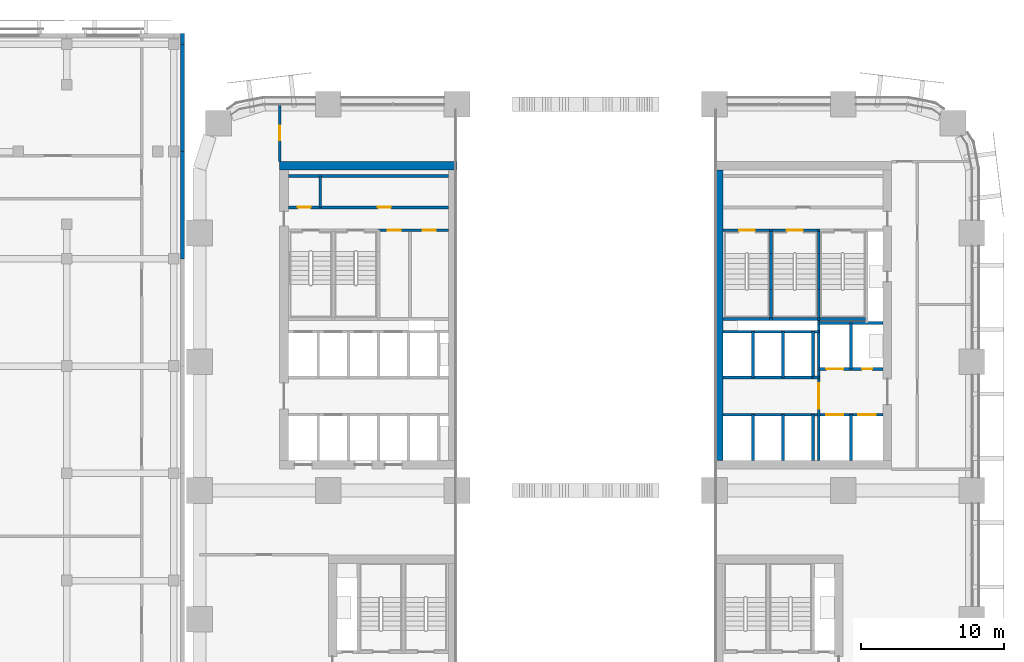
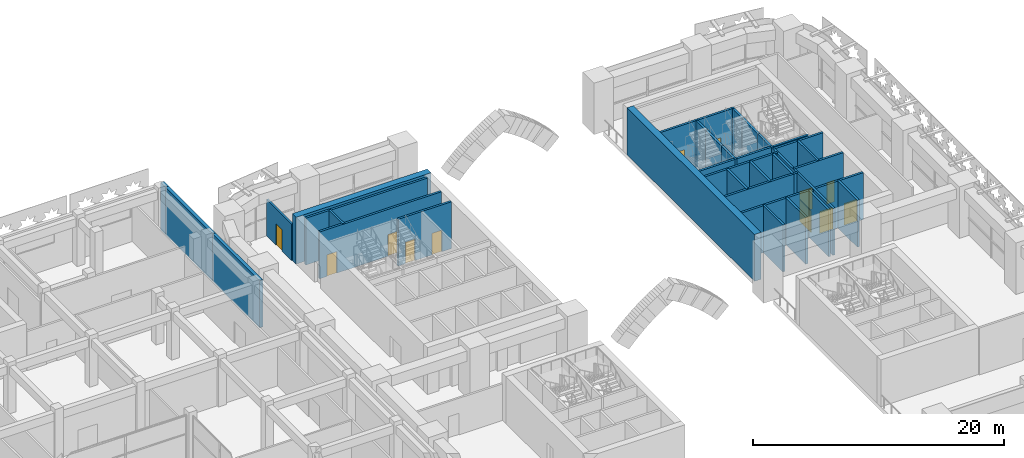
# One storey, part 21 of 40: 40 walls, 12 doors, 12 openings.
"""IFC4 building model written with IfcOpenShell, lengths in metres."""

from ifc_helpers import new_model, si_unit, direction, frame, frame_2d, origin, place, context, subcontext, project, spatial, rectangle, extrude, material, layer, layer_set, type_object, element, fill, save


model = new_model("IFC4")

# Units and contexts
model_context = context("Model", 3, precision=1e-05, world=origin(), true_north=direction((0.0, 1.0)))
body_context = subcontext(model_context, "Body", "Model", "MODEL_VIEW")
ifc_project = project(units=[si_unit("LENGTHUNIT", "METRE"), si_unit("AREAUNIT", "SQUARE_METRE"), si_unit("VOLUMEUNIT", "CUBIC_METRE"), si_unit("PLANEANGLEUNIT", "RADIAN"), si_unit("MASSUNIT", "GRAM", prefix="KILO")], contexts=[model_context])

# Site, building, storey
site_placement = place(None, origin())
site = spatial("IfcSite", under=ifc_project, at=site_placement, CompositionType="ELEMENT")
building_placement = place(site_placement, origin())
building = spatial("IfcBuilding", under=site, at=building_placement, Name="Tessera Arch", CompositionType="ELEMENT")
storey_placement = place(building_placement, frame((0.0, 0.0, 21.0)))
storey = spatial("IfcBuildingStorey", under=building, at=storey_placement, Name="L03", CompositionType="ELEMENT", Elevation=21.0)

# Walls
ifc_material_1 = material(Name="Gypsum board on steel stud", Category="steel")
ifc_layer_1 = layer(ifc_material_1, 0.125)
ifc_layer_set_1 = layer_set([ifc_layer_1], Name="Core partition 125 EI 60")
wall_type_1 = type_object("IfcWallType", Name="Core partition 125 EI 60", PredefinedType="PARTITIONING", material=ifc_layer_set_1)
wall_1_placement = place(storey_placement, frame((42.89990234375, 34.89990234375, 0.0), z_axis=(0.0, 0.0, 1.0), x_axis=(1.0, 0.0, 0.0)))
element("IfcWall", 1, at=wall_1_placement, inside=storey, type_object=wall_type_1, Name="L03 C1 partition wall 21", PredefinedType="PARTITIONING", context=body_context, shape_type="SweptSolid", body=[
    extrude(rectangle(XDim=0.400146484375, YDim=0.199951171875, at=frame_2d((0.2001953125, 0.0))), origin(), (0.0, 0.0, 1.0), 4.550048828125),
])
wall_2_placement = place(storey_placement, frame((8.43994140625, 46.800048828125, 0.0), z_axis=(0.0, 0.0, 1.0), x_axis=(0.0, 1.0, 0.0)))
element("IfcWall", 2, at=wall_2_placement, inside=storey, type_object=wall_type_1, Name="L03 C2 partition wall 3", PredefinedType="PARTITIONING", context=body_context, shape_type="SweptSolid", body=[
    extrude(rectangle(XDim=2.199951171875, YDim=0.199951171875, at=frame_2d((1.10009765625, 0.0))), origin(), (0.0, 0.0, 1.0), 4.550048828125),
])

# Wall, openings, doors
wall_3_placement = place(storey_placement, frame((12.5, 45.199951171875, 0.0), z_axis=(0.0, 0.0, 1.0), x_axis=(1.0, 0.0, 0.0)))
wall_3 = element("IfcWall", 3, at=wall_3_placement, inside=storey, type_object=wall_type_1, Name="L03 C2 partition wall 26", PredefinedType="PARTITIONING", context=body_context, shape_type="SweptSolid", body=[
    extrude(rectangle(XDim=4.89990234375, YDim=0.199951171875, at=frame_2d((2.449951171875, 0.0))), origin(), (0.0, 0.0, 1.0), 4.550048828125),
])
opening_1_placement = place(wall_3_placement, frame((0.652587890625, 0.0, 0.0)))
opening_1 = element("IfcOpeningElement", 4, at=opening_1_placement, cuts=wall_3, Name="Opening L03-C27", PredefinedType="OPENING", context=body_context, shape_type="SweptSolid", body=[
    extrude(rectangle(XDim=0.89990234375, YDim=2.10009765625, at=frame_2d((0.449951171875, 1.050048828125))), frame((0.0, 0.10986328125, 0.0), z_axis=(0.0, -1.0, 0.0), x_axis=(1.0, 0.0, 0.0)), (0.0, 0.0, 1.0), 0.219970703125),
])
opening_2_placement = place(wall_3_placement, frame((3.1025390625, 0.0, 0.0)))
opening_2 = element("IfcOpeningElement", 5, at=opening_2_placement, cuts=wall_3, Name="Opening L03-C28", PredefinedType="OPENING", context=body_context, shape_type="SweptSolid", body=[
    extrude(rectangle(XDim=0.89990234375, YDim=2.10009765625, at=frame_2d((0.449951171875, 1.050048828125))), frame((0.0, 0.10986328125, 0.0), z_axis=(0.0, -1.0, 0.0), x_axis=(1.0, 0.0, 0.0)), (0.0, 0.0, 1.0), 0.219970703125),
])
ifc_material_2 = material(Name="Steel door leaf", Category="steel")
door_type_1 = type_object("IfcDoorType", Name="Store door FD30S 900 x 2100", OperationType="SINGLE_SWING_LEFT", PredefinedType="DOOR", material=ifc_material_2)
door_1_placement = place(opening_1_placement, origin())
door_1 = element("IfcDoor", 6, at=door_1_placement, inside=storey, type_object=door_type_1, Name="L03 C2 door 15 C27 type D09", OperationType="SINGLE_SWING_LEFT", OverallHeight=2.10009765625, OverallWidth=0.89990234375, PredefinedType="DOOR", context=body_context, shape_type="SweptSolid", body=[
    extrude(rectangle(XDim=0.89990234375, YDim=2.10009765625, at=frame_2d((0.449951171875, 1.050048828125))), frame((0.0, 0.02490234375, 0.0), z_axis=(0.0, -1.0, 0.0), x_axis=(1.0, 0.0, 0.0)), (0.0, 0.0, 1.0), 0.050048828125),
])
fill(opening_1, door_1)
door_2_placement = place(opening_2_placement, origin())
door_2 = element("IfcDoor", 7, at=door_2_placement, inside=storey, type_object=door_type_1, Name="L03 C2 door 16 C28 type D09", OperationType="SINGLE_SWING_RIGHT", OverallHeight=2.10009765625, OverallWidth=0.89990234375, PredefinedType="DOOR", context=body_context, shape_type="SweptSolid", body=[
    extrude(rectangle(XDim=0.89990234375, YDim=2.10009765625, at=frame_2d((0.449951171875, 1.050048828125))), frame((0.0, 0.02490234375, 0.0), z_axis=(0.0, -1.0, 0.0), x_axis=(1.0, 0.0, 0.0)), (0.0, 0.0, 1.0), 0.050048828125),
])
fill(opening_2, door_2)

wall_4_placement = place(storey_placement, frame((6.199951171875, 46.800048828125, 0.0), z_axis=(0.0, 0.0, 1.0), x_axis=(1.0, 0.0, 0.0)))
wall_4 = element("IfcWall", 8, at=wall_4_placement, inside=storey, type_object=wall_type_1, Name="L03 C2 partition wall 30", PredefinedType="PARTITIONING", context=body_context, shape_type="SweptSolid", body=[
    extrude(rectangle(XDim=11.199951171875, YDim=0.199951171875, at=frame_2d((5.60009765625, 0.0))), origin(), (0.0, 0.0, 1.0), 4.550048828125),
])
opening_3_placement = place(wall_4_placement, frame((0.669921875, 0.0, 0.0)))
opening_3 = element("IfcOpeningElement", 9, at=opening_3_placement, cuts=wall_4, Name="Opening L03-C25", PredefinedType="OPENING", context=body_context, shape_type="SweptSolid", body=[
    extrude(rectangle(XDim=0.89990234375, YDim=2.10009765625, at=frame_2d((0.449951171875, 1.050048828125))), frame((0.0, 0.10986328125, 0.0), z_axis=(0.0, -1.0, 0.0), x_axis=(1.0, 0.0, 0.0)), (0.0, 0.0, 1.0), 0.219970703125),
])
opening_4_placement = place(wall_4_placement, frame((6.27001953125, 0.0, 0.0)))
opening_4 = element("IfcOpeningElement", 10, at=opening_4_placement, cuts=wall_4, Name="Opening L03-C26", PredefinedType="OPENING", context=body_context, shape_type="SweptSolid", body=[
    extrude(rectangle(XDim=0.89990234375, YDim=2.10009765625, at=frame_2d((0.449951171875, 1.050048828125))), frame((0.0, 0.10986328125, 0.0), z_axis=(0.0, -1.0, 0.0), x_axis=(1.0, 0.0, 0.0)), (0.0, 0.0, 1.0), 0.219970703125),
])
door_3_placement = place(opening_3_placement, origin())
door_3 = element("IfcDoor", 11, at=door_3_placement, inside=storey, type_object=door_type_1, Name="L03 C2 door 13 C25 type D09", OperationType="SINGLE_SWING_LEFT", OverallHeight=2.10009765625, OverallWidth=0.89990234375, PredefinedType="DOOR", context=body_context, shape_type="SweptSolid", body=[
    extrude(rectangle(XDim=0.89990234375, YDim=2.10009765625, at=frame_2d((0.449951171875, 1.050048828125))), frame((0.0, 0.02490234375, 0.0), z_axis=(0.0, -1.0, 0.0), x_axis=(1.0, 0.0, 0.0)), (0.0, 0.0, 1.0), 0.050048828125),
])
fill(opening_3, door_3)
door_4_placement = place(opening_4_placement, origin())
door_4 = element("IfcDoor", 12, at=door_4_placement, inside=storey, type_object=door_type_1, Name="L03 C2 door 14 C26 type D09", OperationType="SINGLE_SWING_RIGHT", OverallHeight=2.10009765625, OverallWidth=0.89990234375, PredefinedType="DOOR", context=body_context, shape_type="SweptSolid", body=[
    extrude(rectangle(XDim=0.89990234375, YDim=2.10009765625, at=frame_2d((0.449951171875, 1.050048828125))), frame((0.0, 0.02490234375, 0.0), z_axis=(0.0, -1.0, 0.0), x_axis=(1.0, 0.0, 0.0)), (0.0, 0.0, 1.0), 0.050048828125),
])
fill(opening_4, door_4)

# Walls
wall_5_placement = place(storey_placement, frame((6.199951171875, 49.0, 0.0), z_axis=(0.0, 0.0, 1.0), x_axis=(1.0, 0.0, 0.0)))
element("IfcWall", 13, at=wall_5_placement, inside=storey, type_object=wall_type_1, Name="L03 C2 partition wall 31", PredefinedType="PARTITIONING", context=body_context, shape_type="SweptSolid", body=[
    extrude(rectangle(XDim=11.199951171875, YDim=0.199951171875, at=frame_2d((5.60009765625, 0.0))), origin(), (0.0, 0.0, 1.0), 4.550048828125),
])
ifc_material_3 = material(Name="Concrete C70/85", Category="concrete")
ifc_layer_2 = layer(ifc_material_3, 0.60009765625)
ifc_layer_set_2 = layer_set([ifc_layer_2], Name="Core shell wall 600 C70-85")
wall_type_2 = type_object("IfcWallType", Name="Core shell wall 600 C70-85", PredefinedType="SHEAR", material=ifc_layer_set_2)
wall_6_placement = place(storey_placement, frame((36.300048828125, 29.10009765625, 0.0), z_axis=(0.0, 0.0, 1.0), x_axis=(0.0, 1.0, 0.0)))
element("IfcWall", 14, at=wall_6_placement, inside=storey, type_object=wall_type_2, Name="L03 C1 core wall W", PredefinedType="SHEAR", context=body_context, shape_type="SweptSolid", body=[
    extrude(rectangle(XDim=20.2998046875, YDim=0.60009765625, at=frame_2d((10.14990234375, 0.0))), origin(), (0.0, 0.0, 1.0), 4.550048828125),
])
wall_7_placement = place(storey_placement, frame((5.60009765625, 49.699951171875, 0.0), z_axis=(0.0, 0.0, 1.0), x_axis=(1.0, 0.0, 0.0)))
element("IfcWall", 15, at=wall_7_placement, inside=storey, type_object=wall_type_2, Name="L03 C2 core wall N", PredefinedType="SHEAR", context=body_context, shape_type="SweptSolid", body=[
    extrude(rectangle(XDim=12.39990234375, YDim=0.60009765625, at=frame_2d((6.199951171875, 0.0))), origin(), (0.0, 0.0, 1.0), 4.550048828125),
])

# Wall, opening, door
ifc_material_4 = material(Name="Gypsum board on deep steel stud with mineral wool", Category="steel")
ifc_layer_3 = layer(ifc_material_4, 0.175048828125)
ifc_layer_set_3 = layer_set([ifc_layer_3], Name="Corridor wall 175 EI 60")
wall_type_3 = type_object("IfcWallType", Name="Corridor wall 175 EI 60", PredefinedType="PARTITIONING", material=ifc_layer_set_3)
wall_8_placement = place(storey_placement, frame((5.60009765625, 50.0, 0.0), z_axis=(0.0, 0.0, 1.0), x_axis=(0.0, 1.0, 0.0)))
wall_8 = element("IfcWall", 16, at=wall_8_placement, inside=storey, type_object=wall_type_3, Name="L03 partition 20", PredefinedType="PARTITIONING", context=body_context, shape_type="SweptSolid", body=[
    extrude(rectangle(XDim=4.0, YDim=0.175048828125, at=frame_2d((2.0, 0.0))), origin(), (0.0, 0.0, 1.0), 3.550048828125),
])
opening_5_placement = place(wall_8_placement, frame((1.5, 0.0, 0.0)))
opening_5 = element("IfcOpeningElement", 17, at=opening_5_placement, cuts=wall_8, Name="Opening L03-D021", PredefinedType="OPENING", context=body_context, shape_type="SweptSolid", body=[
    extrude(rectangle(XDim=1.0, YDim=2.10009765625, at=frame_2d((0.5, 1.050048828125))), frame((0.0, 0.097412109375, 0.0), z_axis=(0.0, -1.0, 0.0), x_axis=(1.0, 0.0, 0.0)), (0.0, 0.0, 1.0), 0.195068359375),
])
ifc_material_5 = material(Name="Fire-rated door leaf")
door_type_2 = type_object("IfcDoorType", Name="Entrance door FD30S 1000 x 2100", OperationType="SINGLE_SWING_LEFT", PredefinedType="DOOR", material=ifc_material_5)
door_5_placement = place(opening_5_placement, origin())
door_5 = element("IfcDoor", 18, at=door_5_placement, inside=storey, type_object=door_type_2, Name="L03 door D021 type D03", OperationType="SINGLE_SWING_LEFT", OverallHeight=2.10009765625, OverallWidth=1.0, PredefinedType="DOOR", context=body_context, shape_type="SweptSolid", body=[
    extrude(rectangle(XDim=1.0, YDim=2.10009765625, at=frame_2d((0.5, 1.050048828125))), frame((0.0, 0.02490234375, 0.0), z_axis=(0.0, -1.0, 0.0), x_axis=(1.0, 0.0, 0.0)), (0.0, 0.0, 1.0), 0.050048828125),
])
fill(opening_5, door_5)

# Walls
ifc_material_6 = material(Name="Concrete C40/50", Category="concrete")
ifc_layer_4 = layer(ifc_material_6, 0.300048828125)
ifc_layer_set_4 = layer_set([ifc_layer_4], Name="Museum fire wall")
wall_type_4 = type_object("IfcWallType", Name="Museum fire wall", PredefinedType="SOLIDWALL", material=ifc_layer_set_4)
for number, where, z_axis, x_axis, name in (
    (19, (-1.199951171875, 43.199951171875, 0.0), (0.0, 0.0, 1.0), (0.0, 1.0, 0.0), "Museum fire wall at the movement joint"),
    (20, (-1.199951171875, 50.699951171875, 0.0), (0.0, 0.0, 1.0), (0.0, 1.0, 0.0), "Museum fire wall at the movement joint"),
):
    element("IfcWall", number, at=place(storey_placement, frame(where, z_axis=z_axis, x_axis=x_axis)), inside=storey, type_object=wall_type_4, Name=name, PredefinedType="SOLIDWALL", context=body_context, shape_type="SweptSolid", body=[
        extrude(rectangle(XDim=7.5, YDim=0.300048828125, at=frame_2d((3.75, 0.0))), origin(), (0.0, 0.0, 1.0), 4.590087890625),
    ])
wall_9_placement = place(storey_placement, frame((-1.199951171875, 58.199951171875, 0.0), z_axis=(0.0, 0.0, 1.0), x_axis=(0.0, 1.0, 0.0)))
element("IfcWall", 21, at=wall_9_placement, inside=storey, type_object=wall_type_4, Name="Museum fire wall at the movement joint", PredefinedType="SOLIDWALL", context=body_context, shape_type="SweptSolid", body=[
    extrude(rectangle(XDim=0.75, YDim=0.300048828125, at=frame_2d((0.375, 0.0))), origin(), (0.0, 0.0, 1.0), 4.590087890625),
])
ifc_material_7 = material(Name="Concrete C40/50", Category="concrete")
ifc_layer_5 = layer(ifc_material_7, 0.199951171875)
ifc_layer_set_5 = layer_set([ifc_layer_5], Name="Shaft wall 200 EI 120")
wall_type_5 = type_object("IfcWallType", Name="Shaft wall 200 EI 120", PredefinedType="SOLIDWALL", material=ifc_layer_set_5)
wall_10_placement = place(storey_placement, frame((38.699951171875, 29.10009765625, 0.0), z_axis=(0.0, 0.0, 1.0), x_axis=(0.0, 1.0, 0.0)))
element("IfcWall", 22, at=wall_10_placement, inside=storey, type_object=wall_type_5, Name="L03 C1 shaft wall 1", PredefinedType="SOLIDWALL", context=body_context, shape_type="SweptSolid", body=[
    extrude(rectangle(XDim=3.199951171875, YDim=0.199951171875, at=frame_2d((1.60009765625, 0.0))), origin(), (0.0, 0.0, 1.0), 4.550048828125),
])
wall_11_placement = place(storey_placement, frame((38.699951171875, 34.89990234375, 0.0), z_axis=(0.0, 0.0, 1.0), x_axis=(0.0, 1.0, 0.0)))
element("IfcWall", 23, at=wall_11_placement, inside=storey, type_object=wall_type_5, Name="L03 C1 shaft wall 2", PredefinedType="SOLIDWALL", context=body_context, shape_type="SweptSolid", body=[
    extrude(rectangle(XDim=3.2001953125, YDim=0.199951171875, at=frame_2d((1.60009765625, 0.0))), origin(), (0.0, 0.0, 1.0), 4.550048828125),
])
wall_12_placement = place(storey_placement, frame((40.800048828125, 29.10009765625, 0.0), z_axis=(0.0, 0.0, 1.0), x_axis=(0.0, 1.0, 0.0)))
element("IfcWall", 24, at=wall_12_placement, inside=storey, type_object=wall_type_5, Name="L03 C1 shaft wall 6", PredefinedType="SOLIDWALL", context=body_context, shape_type="SweptSolid", body=[
    extrude(rectangle(XDim=3.199951171875, YDim=0.199951171875, at=frame_2d((1.60009765625, 0.0))), origin(), (0.0, 0.0, 1.0), 4.550048828125),
])
wall_13_placement = place(storey_placement, frame((40.800048828125, 34.89990234375, 0.0), z_axis=(0.0, 0.0, 1.0), x_axis=(0.0, 1.0, 0.0)))
element("IfcWall", 25, at=wall_13_placement, inside=storey, type_object=wall_type_5, Name="L03 C1 shaft wall 7", PredefinedType="SOLIDWALL", context=body_context, shape_type="SweptSolid", body=[
    extrude(rectangle(XDim=3.2001953125, YDim=0.199951171875, at=frame_2d((1.60009765625, 0.0))), origin(), (0.0, 0.0, 1.0), 4.550048828125),
])
wall_14_placement = place(storey_placement, frame((42.89990234375, 29.10009765625, 0.0), z_axis=(0.0, 0.0, 1.0), x_axis=(0.0, 1.0, 0.0)))
element("IfcWall", 26, at=wall_14_placement, inside=storey, type_object=wall_type_5, Name="L03 C1 shaft wall 8", PredefinedType="SOLIDWALL", context=body_context, shape_type="SweptSolid", body=[
    extrude(rectangle(XDim=3.199951171875, YDim=0.199951171875, at=frame_2d((1.60009765625, 0.0))), origin(), (0.0, 0.0, 1.0), 4.550048828125),
])
wall_15_placement = place(storey_placement, frame((42.89990234375, 34.89990234375, 0.0), z_axis=(0.0, 0.0, 1.0), x_axis=(0.0, 1.0, 0.0)))
element("IfcWall", 27, at=wall_15_placement, inside=storey, type_object=wall_type_5, Name="L03 C1 shaft wall 9", PredefinedType="SOLIDWALL", context=body_context, shape_type="SweptSolid", body=[
    extrude(rectangle(XDim=3.2001953125, YDim=0.199951171875, at=frame_2d((1.60009765625, 0.0))), origin(), (0.0, 0.0, 1.0), 4.550048828125),
])

# Wall, opening, door
wall_16_placement = place(storey_placement, frame((43.300048828125, 29.10009765625, 0.0), z_axis=(0.0, 0.0, 1.0), x_axis=(0.0, 1.0, 0.0)))
wall_16 = element("IfcWall", 28, at=wall_16_placement, inside=storey, type_object=wall_type_5, Name="L03 C1 shaft wall 10", PredefinedType="SOLIDWALL", context=body_context, shape_type="SweptSolid", body=[
    extrude(rectangle(XDim=9.89990234375, YDim=0.199951171875, at=frame_2d((4.949951171875, 0.0))), origin(), (0.0, 0.0, 1.0), 4.550048828125),
])
opening_6_placement = place(wall_16_placement, frame((3.60009765625, 0.0, 0.0)))
opening_6 = element("IfcOpeningElement", 29, at=opening_6_placement, cuts=wall_16, Name="Opening L03-C04", PredefinedType="OPENING", context=body_context, shape_type="SweptSolid", body=[
    extrude(rectangle(XDim=1.800048828125, YDim=2.10009765625, at=frame_2d((0.89990234375, 1.050048828125))), frame((0.0, 0.10986328125, 0.0), z_axis=(0.0, -1.0, 0.0), x_axis=(1.0, 0.0, 0.0)), (0.0, 0.0, 1.0), 0.219970703125),
])
ifc_material_8 = material(Name="Glazed steel door leaf", Category="steel")
door_type_3 = type_object("IfcDoorType", Name="Lobby double door FD60 1800 x 2100", OperationType="DOUBLE_DOOR_SINGLE_SWING", PredefinedType="DOOR", material=ifc_material_8)
door_6_placement = place(opening_6_placement, origin())
door_6 = element("IfcDoor", 30, at=door_6_placement, inside=storey, type_object=door_type_3, Name="L03 C1 door 4 C04 type D19", OperationType="DOUBLE_DOOR_SINGLE_SWING", OverallHeight=2.10009765625, OverallWidth=1.800048828125, PredefinedType="DOOR", context=body_context, shape_type="SweptSolid", body=[
    extrude(rectangle(XDim=1.800048828125, YDim=2.10009765625, at=frame_2d((0.89990234375, 1.050048828125))), frame((0.0, 0.02490234375, 0.0), z_axis=(0.0, -1.0, 0.0), x_axis=(1.0, 0.0, 0.0)), (0.0, 0.0, 1.0), 0.050048828125),
])
fill(opening_6, door_6)

# Walls
for number, where, z_axis, x_axis, name in (
    (31, (45.550048828125, 29.10009765625, 0.0), (0.0, 0.0, 1.0), (0.0, 1.0, 0.0), "L03 C1 shaft wall 14"),
    (32, (45.550048828125, 35.5, 0.0), (0.0, 0.0, 1.0), (0.0, 1.0, 0.0), "L03 C1 shaft wall 15"),
):
    element("IfcWall", number, at=place(storey_placement, frame(where, z_axis=z_axis, x_axis=x_axis)), inside=storey, type_object=wall_type_5, Name=name, PredefinedType="SOLIDWALL", context=body_context, shape_type="SweptSolid", body=[
        extrude(rectangle(XDim=3.199951171875, YDim=0.199951171875, at=frame_2d((1.60009765625, 0.0))), origin(), (0.0, 0.0, 1.0), 4.550048828125),
    ])

# Wall, openings, doors
wall_17_placement = place(storey_placement, frame((36.60009765625, 32.300048828125, 0.0), z_axis=(0.0, 0.0, 1.0), x_axis=(1.0, 0.0, 0.0)))
wall_17 = element("IfcWall", 33, at=wall_17_placement, inside=storey, type_object=wall_type_5, Name="L03 C1 shaft wall 20", PredefinedType="SOLIDWALL", context=body_context, shape_type="SweptSolid", body=[
    extrude(rectangle(XDim=11.199951171875, YDim=0.199951171875, at=frame_2d((5.60009765625, 0.0))), origin(), (0.0, 0.0, 1.0), 4.550048828125),
])
opening_7_placement = place(wall_17_placement, frame((7.22509765625, 0.0, 0.0)))
opening_7 = element("IfcOpeningElement", 34, at=opening_7_placement, cuts=wall_17, Name="Opening L03-C01", PredefinedType="OPENING", context=body_context, shape_type="SweptSolid", body=[
    extrude(rectangle(XDim=1.199951171875, YDim=2.10009765625, at=frame_2d((0.60009765625, 1.050048828125))), frame((0.0, 0.10986328125, 0.0), z_axis=(0.0, -1.0, 0.0), x_axis=(1.0, 0.0, 0.0)), (0.0, 0.0, 1.0), 0.219970703125),
])
opening_8_placement = place(wall_17_placement, frame((9.47509765625, 0.0, 0.0)))
opening_8 = element("IfcOpeningElement", 35, at=opening_8_placement, cuts=wall_17, Name="Opening L03-C02", PredefinedType="OPENING", context=body_context, shape_type="SweptSolid", body=[
    extrude(rectangle(XDim=1.199951171875, YDim=2.10009765625, at=frame_2d((0.60009765625, 1.050048828125))), frame((0.0, 0.10986328125, 0.0), z_axis=(0.0, -1.0, 0.0), x_axis=(1.0, 0.0, 0.0)), (0.0, 0.0, 1.0), 0.219970703125),
])
ifc_material_9 = material(Name="Stainless steel AISI 304", Category="steel")
door_type_4 = type_object("IfcDoorType", Name="Sliding landing door 1200 x 2100", OperationType="SLIDING_TO_LEFT", PredefinedType="DOOR", material=ifc_material_9)
door_7_placement = place(opening_7_placement, origin())
door_7 = element("IfcDoor", 36, at=door_7_placement, inside=storey, type_object=door_type_4, Name="L03 FF1 lift landing door C01 type LD", OperationType="SLIDING_TO_LEFT", OverallHeight=2.10009765625, OverallWidth=1.199951171875, PredefinedType="DOOR", context=body_context, shape_type="SweptSolid", body=[
    extrude(rectangle(XDim=1.199951171875, YDim=2.10009765625, at=frame_2d((0.60009765625, 1.050048828125))), frame((0.0, 0.02490234375, 0.0), z_axis=(0.0, -1.0, 0.0), x_axis=(1.0, 0.0, 0.0)), (0.0, 0.0, 1.0), 0.050048828125),
])
fill(opening_7, door_7)
door_8_placement = place(opening_8_placement, origin())
door_8 = element("IfcDoor", 37, at=door_8_placement, inside=storey, type_object=door_type_4, Name="L03 FF2 lift landing door C02 type LD", OperationType="SLIDING_TO_LEFT", OverallHeight=2.10009765625, OverallWidth=1.199951171875, PredefinedType="DOOR", context=body_context, shape_type="SweptSolid", body=[
    extrude(rectangle(XDim=1.199951171875, YDim=2.10009765625, at=frame_2d((0.60009765625, 1.050048828125))), frame((0.0, 0.02490234375, 0.0), z_axis=(0.0, -1.0, 0.0), x_axis=(1.0, 0.0, 0.0)), (0.0, 0.0, 1.0), 0.050048828125),
])
fill(opening_8, door_8)

# Wall
wall_18_placement = place(storey_placement, frame((36.60009765625, 34.89990234375, 0.0), z_axis=(0.0, 0.0, 1.0), x_axis=(1.0, 0.0, 0.0)))
element("IfcWall", 38, at=wall_18_placement, inside=storey, type_object=wall_type_5, Name="L03 C1 shaft wall 22", PredefinedType="SOLIDWALL", context=body_context, shape_type="SweptSolid", body=[
    extrude(rectangle(XDim=6.2998046875, YDim=0.199951171875, at=frame_2d((3.14990234375, 0.0))), origin(), (0.0, 0.0, 1.0), 4.550048828125),
])

# Wall, openings, doors
wall_19_placement = place(storey_placement, frame((43.300048828125, 35.5, 0.0), z_axis=(0.0, 0.0, 1.0), x_axis=(1.0, 0.0, 0.0)))
wall_19 = element("IfcWall", 39, at=wall_19_placement, inside=storey, type_object=wall_type_5, Name="L03 C1 shaft wall 23", PredefinedType="SOLIDWALL", context=body_context, shape_type="SweptSolid", body=[
    extrude(rectangle(XDim=4.5, YDim=0.199951171875, at=frame_2d((2.25, 0.0))), origin(), (0.0, 0.0, 1.0), 4.550048828125),
])
opening_9_placement = place(wall_19_placement, frame((0.52490234375, 0.0, 0.0)))
opening_9 = element("IfcOpeningElement", 40, at=opening_9_placement, cuts=wall_19, Name="Opening L03-C03", PredefinedType="OPENING", context=body_context, shape_type="SweptSolid", body=[
    extrude(rectangle(XDim=1.199951171875, YDim=2.10009765625, at=frame_2d((0.60009765625, 1.050048828125))), frame((0.0, 0.10986328125, 0.0), z_axis=(0.0, -1.0, 0.0), x_axis=(1.0, 0.0, 0.0)), (0.0, 0.0, 1.0), 0.219970703125),
])
opening_10_placement = place(wall_19_placement, frame((3.02490234375, 0.0, 0.0)))
opening_10 = element("IfcOpeningElement", 41, at=opening_10_placement, cuts=wall_19, Name="Opening L03-C10", PredefinedType="OPENING", context=body_context, shape_type="SweptSolid", body=[
    extrude(rectangle(XDim=0.699951171875, YDim=2.10009765625, at=frame_2d((0.35009765625, 1.050048828125))), frame((0.0, 0.10986328125, 0.0), z_axis=(0.0, -1.0, 0.0), x_axis=(1.0, 0.0, 0.0)), (0.0, 0.0, 1.0), 0.219970703125),
])
ifc_material_10 = material(Name="Steel door leaf", Category="steel")
door_type_5 = type_object("IfcDoorType", Name="Service shaft door FD60 700 x 2100", OperationType="SINGLE_SWING_LEFT", PredefinedType="DOOR", material=ifc_material_10)
door_9_placement = place(opening_10_placement, origin())
door_9 = element("IfcDoor", 42, at=door_9_placement, inside=storey, type_object=door_type_5, Name="L03 C1 door 10 C10 type D07", OperationType="SINGLE_SWING_RIGHT", OverallHeight=2.10009765625, OverallWidth=0.699951171875, PredefinedType="DOOR", context=body_context, shape_type="SweptSolid", body=[
    extrude(rectangle(XDim=0.699951171875, YDim=2.10009765625, at=frame_2d((0.35009765625, 1.050048828125))), frame((0.0, 0.02490234375, 0.0), z_axis=(0.0, -1.0, 0.0), x_axis=(1.0, 0.0, 0.0)), (0.0, 0.0, 1.0), 0.050048828125),
])
fill(opening_10, door_9)
door_10_placement = place(opening_9_placement, origin())
door_10 = element("IfcDoor", 43, at=door_10_placement, inside=storey, type_object=door_type_4, Name="L03 SV2 lift landing door C03 type LD", OperationType="SLIDING_TO_LEFT", OverallHeight=2.10009765625, OverallWidth=1.199951171875, PredefinedType="DOOR", context=body_context, shape_type="SweptSolid", body=[
    extrude(rectangle(XDim=1.199951171875, YDim=2.10009765625, at=frame_2d((0.60009765625, 1.050048828125))), frame((0.0, 0.02490234375, 0.0), z_axis=(0.0, -1.0, 0.0), x_axis=(1.0, 0.0, 0.0)), (0.0, 0.0, 1.0), 0.050048828125),
])
fill(opening_9, door_10)

# Walls
wall_20_placement = place(storey_placement, frame((36.60009765625, 38.10009765625, 0.0), z_axis=(0.0, 0.0, 1.0), x_axis=(1.0, 0.0, 0.0)))
element("IfcWall", 44, at=wall_20_placement, inside=storey, type_object=wall_type_5, Name="L03 C1 shaft wall 24", PredefinedType="SOLIDWALL", context=body_context, shape_type="SweptSolid", body=[
    extrude(rectangle(XDim=6.699951171875, YDim=0.199951171875, at=frame_2d((3.35009765625, 0.0))), origin(), (0.0, 0.0, 1.0), 4.550048828125),
])
wall_21_placement = place(storey_placement, frame((43.300048828125, 38.699951171875, 0.0), z_axis=(0.0, 0.0, 1.0), x_axis=(1.0, 0.0, 0.0)))
element("IfcWall", 45, at=wall_21_placement, inside=storey, type_object=wall_type_5, Name="L03 C1 shaft wall 25", PredefinedType="SOLIDWALL", context=body_context, shape_type="SweptSolid", body=[
    extrude(rectangle(XDim=4.5, YDim=0.199951171875, at=frame_2d((2.25, 0.0))), origin(), (0.0, 0.0, 1.0), 4.550048828125),
])
ifc_material_11 = material(Name="Concrete C40/50", Category="concrete")
ifc_layer_6 = layer(ifc_material_11, 0.199951171875)
ifc_layer_set_6 = layer_set([ifc_layer_6], Name="Stair well wall 200 REI 180")
wall_type_6 = type_object("IfcWallType", Name="Stair well wall 200 REI 180", PredefinedType="SOLIDWALL", material=ifc_layer_set_6)
wall_22_placement = place(storey_placement, frame((39.949951171875, 39.0, 0.0), z_axis=(0.0, 0.0, 1.0), x_axis=(0.0, 1.0, 0.0)))
element("IfcWall", 46, at=wall_22_placement, inside=storey, type_object=wall_type_6, Name="L03 C1 shaft wall 3", PredefinedType="SOLIDWALL", context=body_context, shape_type="SweptSolid", body=[
    extrude(rectangle(XDim=2.06005859375, YDim=0.199951171875, at=frame_2d((1.030029296875, 0.0))), origin(), (0.0, 0.0, 1.0), 4.550048828125),
])
wall_23_placement = place(storey_placement, frame((39.949951171875, 41.06005859375, 0.0), z_axis=(0.0, 0.0, 1.0), x_axis=(0.0, 1.0, 0.0)))
element("IfcWall", 47, at=wall_23_placement, inside=storey, type_object=wall_type_6, Name="L03 C1 shaft wall 4", PredefinedType="SOLIDWALL", context=body_context, shape_type="SweptSolid", body=[
    extrude(rectangle(XDim=2.52001953125, YDim=0.199951171875, at=frame_2d((1.260009765625, 0.0))), origin(), (0.0, 0.0, 1.0), 4.550048828125),
])
wall_24_placement = place(storey_placement, frame((39.949951171875, 43.580078125, 0.0), z_axis=(0.0, 0.0, 1.0), x_axis=(0.0, 1.0, 0.0)))
element("IfcWall", 48, at=wall_24_placement, inside=storey, type_object=wall_type_6, Name="L03 C1 shaft wall 5", PredefinedType="SOLIDWALL", context=body_context, shape_type="SweptSolid", body=[
    extrude(rectangle(XDim=1.619873046875, YDim=0.199951171875, at=frame_2d((0.81005859375, 0.0))), origin(), (0.0, 0.0, 1.0), 4.550048828125),
])
wall_25_placement = place(storey_placement, frame((43.300048828125, 39.0, 0.0), z_axis=(0.0, 0.0, 1.0), x_axis=(0.0, 1.0, 0.0)))
element("IfcWall", 49, at=wall_25_placement, inside=storey, type_object=wall_type_6, Name="L03 C1 shaft wall 11", PredefinedType="SOLIDWALL", context=body_context, shape_type="SweptSolid", body=[
    extrude(rectangle(XDim=2.06005859375, YDim=0.199951171875, at=frame_2d((1.030029296875, 0.0))), origin(), (0.0, 0.0, 1.0), 4.550048828125),
])
wall_26_placement = place(storey_placement, frame((43.300048828125, 41.06005859375, 0.0), z_axis=(0.0, 0.0, 1.0), x_axis=(0.0, 1.0, 0.0)))
element("IfcWall", 50, at=wall_26_placement, inside=storey, type_object=wall_type_6, Name="L03 C1 shaft wall 12", PredefinedType="SOLIDWALL", context=body_context, shape_type="SweptSolid", body=[
    extrude(rectangle(XDim=2.52001953125, YDim=0.199951171875, at=frame_2d((1.260009765625, 0.0))), origin(), (0.0, 0.0, 1.0), 4.550048828125),
])
wall_27_placement = place(storey_placement, frame((43.300048828125, 43.580078125, 0.0), z_axis=(0.0, 0.0, 1.0), x_axis=(0.0, 1.0, 0.0)))
element("IfcWall", 51, at=wall_27_placement, inside=storey, type_object=wall_type_6, Name="L03 C1 shaft wall 13", PredefinedType="SOLIDWALL", context=body_context, shape_type="SweptSolid", body=[
    extrude(rectangle(XDim=1.619873046875, YDim=0.199951171875, at=frame_2d((0.81005859375, 0.0))), origin(), (0.0, 0.0, 1.0), 4.550048828125),
])
wall_28_placement = place(storey_placement, frame((36.60009765625, 39.0, 0.0), z_axis=(0.0, 0.0, 1.0), x_axis=(1.0, 0.0, 0.0)))
element("IfcWall", 52, at=wall_28_placement, inside=storey, type_object=wall_type_6, Name="L03 C1 shaft wall 26", PredefinedType="SOLIDWALL", context=body_context, shape_type="SweptSolid", body=[
    extrude(rectangle(XDim=3.25, YDim=0.199951171875, at=frame_2d((1.625, 0.0))), origin(), (0.0, 0.0, 1.0), 4.550048828125),
])
wall_29_placement = place(storey_placement, frame((39.85009765625, 39.0, 0.0), z_axis=(0.0, 0.0, 1.0), x_axis=(1.0, 0.0, 0.0)))
element("IfcWall", 53, at=wall_29_placement, inside=storey, type_object=wall_type_6, Name="L03 C1 shaft wall 27", PredefinedType="SOLIDWALL", context=body_context, shape_type="SweptSolid", body=[
    extrude(rectangle(XDim=0.199951171875, YDim=0.199951171875, at=frame_2d((0.10009765625, 0.0))), origin(), (0.0, 0.0, 1.0), 4.550048828125),
])
wall_30_placement = place(storey_placement, frame((40.050048828125, 39.0, 0.0), z_axis=(0.0, 0.0, 1.0), x_axis=(1.0, 0.0, 0.0)))
element("IfcWall", 54, at=wall_30_placement, inside=storey, type_object=wall_type_6, Name="L03 C1 shaft wall 28", PredefinedType="SOLIDWALL", context=body_context, shape_type="SweptSolid", body=[
    extrude(rectangle(XDim=3.14990234375, YDim=0.199951171875, at=frame_2d((1.574951171875, 0.0))), origin(), (0.0, 0.0, 1.0), 4.550048828125),
])
wall_31_placement = place(storey_placement, frame((43.199951171875, 39.0, 0.0), z_axis=(0.0, 0.0, 1.0), x_axis=(1.0, 0.0, 0.0)))
element("IfcWall", 55, at=wall_31_placement, inside=storey, type_object=wall_type_6, Name="L03 C1 shaft wall 29", PredefinedType="SOLIDWALL", context=body_context, shape_type="SweptSolid", body=[
    extrude(rectangle(XDim=0.199951171875, YDim=0.199951171875, at=frame_2d((0.10009765625, 0.0))), origin(), (0.0, 0.0, 1.0), 4.550048828125),
])
wall_32_placement = place(storey_placement, frame((43.39990234375, 39.0, 0.0), z_axis=(0.0, 0.0, 1.0), x_axis=(1.0, 0.0, 0.0)))
element("IfcWall", 56, at=wall_32_placement, inside=storey, type_object=wall_type_6, Name="L03 C1 shaft wall 30", PredefinedType="SOLIDWALL", context=body_context, shape_type="SweptSolid", body=[
    extrude(rectangle(XDim=3.25, YDim=0.199951171875, at=frame_2d((1.625, 0.0))), origin(), (0.0, 0.0, 1.0), 4.550048828125),
])

# Wall, opening, door
wall_33_placement = place(storey_placement, frame((36.60009765625, 45.199951171875, 0.0), z_axis=(0.0, 0.0, 1.0), x_axis=(1.0, 0.0, 0.0)))
wall_33 = element("IfcWall", 57, at=wall_33_placement, inside=storey, type_object=wall_type_6, Name="L03 C1 shaft wall 32", PredefinedType="SOLIDWALL", context=body_context, shape_type="SweptSolid", body=[
    extrude(rectangle(XDim=3.25, YDim=0.199951171875, at=frame_2d((1.625, 0.0))), origin(), (0.0, 0.0, 1.0), 4.550048828125),
])
opening_11_placement = place(wall_33_placement, frame((1.125, 0.0, 0.0)))
opening_11 = element("IfcOpeningElement", 58, at=opening_11_placement, cuts=wall_33, Name="Opening L03-C05", PredefinedType="OPENING", context=body_context, shape_type="SweptSolid", body=[
    extrude(rectangle(XDim=1.10009765625, YDim=2.10009765625, at=frame_2d((0.550048828125, 1.050048828125))), frame((0.0, 0.10986328125, 0.0), z_axis=(0.0, -1.0, 0.0), x_axis=(1.0, 0.0, 0.0)), (0.0, 0.0, 1.0), 0.219970703125),
])
ifc_material_12 = material(Name="Steel door leaf", Category="steel")
door_type_6 = type_object("IfcDoorType", Name="Stair door FD60 1100 x 2100", OperationType="SINGLE_SWING_LEFT", PredefinedType="DOOR", material=ifc_material_12)
door_11_placement = place(opening_11_placement, origin())
door_11 = element("IfcDoor", 59, at=door_11_placement, inside=storey, type_object=door_type_6, Name="L03 C1 door 5 C05 type D05", OperationType="SINGLE_SWING_RIGHT", OverallHeight=2.10009765625, OverallWidth=1.10009765625, PredefinedType="DOOR", context=body_context, shape_type="SweptSolid", body=[
    extrude(rectangle(XDim=1.10009765625, YDim=2.10009765625, at=frame_2d((0.550048828125, 1.050048828125))), frame((0.0, 0.02490234375, 0.0), z_axis=(0.0, -1.0, 0.0), x_axis=(1.0, 0.0, 0.0)), (0.0, 0.0, 1.0), 0.050048828125),
])
fill(opening_11, door_11)

# Wall
wall_34_placement = place(storey_placement, frame((39.85009765625, 45.199951171875, 0.0), z_axis=(0.0, 0.0, 1.0), x_axis=(1.0, 0.0, 0.0)))
element("IfcWall", 60, at=wall_34_placement, inside=storey, type_object=wall_type_6, Name="L03 C1 shaft wall 33", PredefinedType="SOLIDWALL", context=body_context, shape_type="SweptSolid", body=[
    extrude(rectangle(XDim=0.199951171875, YDim=0.199951171875, at=frame_2d((0.10009765625, 0.0))), origin(), (0.0, 0.0, 1.0), 4.550048828125),
])

# Wall, opening, door
wall_35_placement = place(storey_placement, frame((40.050048828125, 45.199951171875, 0.0), z_axis=(0.0, 0.0, 1.0), x_axis=(1.0, 0.0, 0.0)))
wall_35 = element("IfcWall", 61, at=wall_35_placement, inside=storey, type_object=wall_type_6, Name="L03 C1 shaft wall 34", PredefinedType="SOLIDWALL", context=body_context, shape_type="SweptSolid", body=[
    extrude(rectangle(XDim=3.14990234375, YDim=0.199951171875, at=frame_2d((1.574951171875, 0.0))), origin(), (0.0, 0.0, 1.0), 4.550048828125),
])
opening_12_placement = place(wall_35_placement, frame((1.02490234375, 0.0, 0.0)))
opening_12 = element("IfcOpeningElement", 62, at=opening_12_placement, cuts=wall_35, Name="Opening L03-C06", PredefinedType="OPENING", context=body_context, shape_type="SweptSolid", body=[
    extrude(rectangle(XDim=1.10009765625, YDim=2.10009765625, at=frame_2d((0.550048828125, 1.050048828125))), frame((0.0, 0.10986328125, 0.0), z_axis=(0.0, -1.0, 0.0), x_axis=(1.0, 0.0, 0.0)), (0.0, 0.0, 1.0), 0.219970703125),
])
door_12_placement = place(opening_12_placement, origin())
door_12 = element("IfcDoor", 63, at=door_12_placement, inside=storey, type_object=door_type_6, Name="L03 C1 door 6 C06 type D05", OperationType="SINGLE_SWING_LEFT", OverallHeight=2.10009765625, OverallWidth=1.10009765625, PredefinedType="DOOR", context=body_context, shape_type="SweptSolid", body=[
    extrude(rectangle(XDim=1.10009765625, YDim=2.10009765625, at=frame_2d((0.550048828125, 1.050048828125))), frame((0.0, 0.02490234375, 0.0), z_axis=(0.0, -1.0, 0.0), x_axis=(1.0, 0.0, 0.0)), (0.0, 0.0, 1.0), 0.050048828125),
])
fill(opening_12, door_12)

# Wall
wall_36_placement = place(storey_placement, frame((43.199951171875, 45.199951171875, 0.0), z_axis=(0.0, 0.0, 1.0), x_axis=(1.0, 0.0, 0.0)))
element("IfcWall", 64, at=wall_36_placement, inside=storey, type_object=wall_type_6, Name="L03 C1 shaft wall 35", PredefinedType="SOLIDWALL", context=body_context, shape_type="SweptSolid", body=[
    extrude(rectangle(XDim=0.199951171875, YDim=0.199951171875, at=frame_2d((0.10009765625, 0.0))), origin(), (0.0, 0.0, 1.0), 4.550048828125),
])

save(model, "model.ifc")
